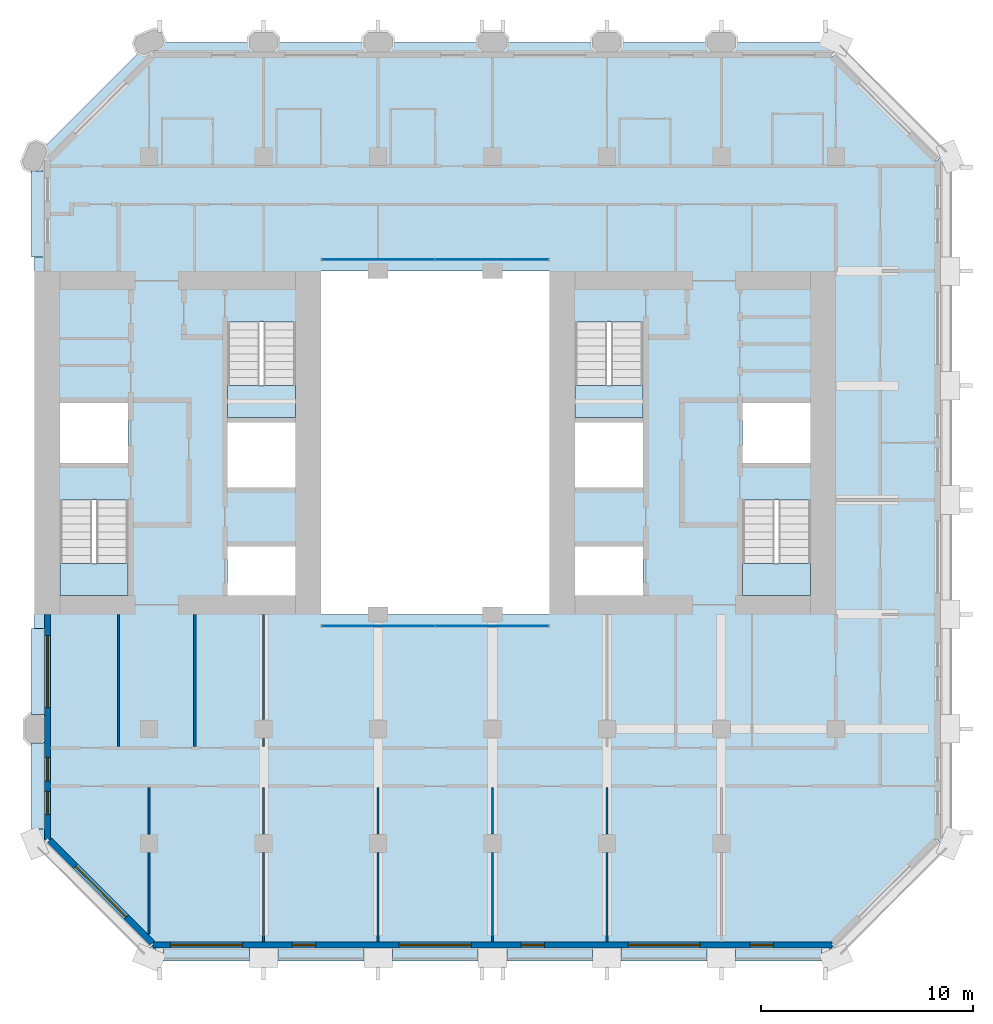
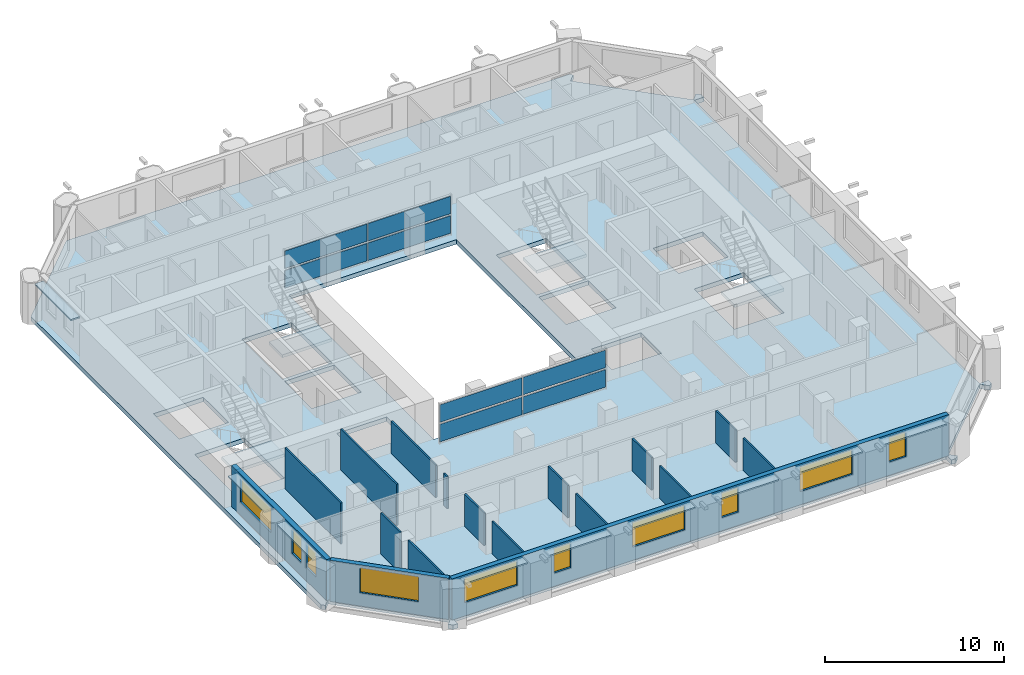
# One storey, part 5 of 12: 17 plates, 17 walls, 10 windows, 5 slabs, 10 openings, 6 elements without a shape of their own.
"""IFC4 building model written with IfcOpenShell, lengths in metres."""

from ifc_helpers import new_model, si_unit, direction, frame, frame_2d, origin, origin_2d, place, context, subcontext, project, spatial, polyline, rectangle, outline, extrude, material, layer, layer_set, type_object, element, fill, aggregate, save


model = new_model("IFC4")

# Units and contexts
model_context = context("Model", 3, precision=1e-05, world=origin(), true_north=direction((0.0, 1.0)))
body_context = subcontext(model_context, "Body", "Model", "MODEL_VIEW")
ifc_project = project(units=[si_unit("LENGTHUNIT", "METRE"), si_unit("AREAUNIT", "SQUARE_METRE"), si_unit("VOLUMEUNIT", "CUBIC_METRE"), si_unit("PLANEANGLEUNIT", "RADIAN"), si_unit("MASSUNIT", "GRAM", prefix="KILO")], contexts=[model_context])

# Site, building, storey
site_placement = place(None, origin())
site = spatial("IfcSite", under=ifc_project, at=site_placement, CompositionType="ELEMENT")
building_placement = place(site_placement, origin())
building = spatial("IfcBuilding", under=site, at=building_placement, Name="Tabaq Tower and Sports Hall", CompositionType="ELEMENT")
storey_placement = place(building_placement, frame((0.0, 0.0, 172.60009765625)))
storey = spatial("IfcBuildingStorey", under=building, at=storey_placement, Name="L41", CompositionType="ELEMENT", Elevation=172.60009765625)

# Curtain wall, plates
ifc_material_1 = material(Name="Aluminium alloy 6063-T6 framed glazing", Category="aluminium")
curtain_wall_type = type_object("IfcCurtainWallType", Name="CW1 curtain wall", PredefinedType="USERDEFINED", material=ifc_material_1)
curtain_wall_1_placement = place(storey_placement, origin())
curtain_wall_1 = element("IfcCurtainWall", 1, at=curtain_wall_1_placement, inside=storey, type_object=curtain_wall_type, Name="Atrium glazing L41 S", ObjectType="ATRIUM ENCLOSURE", PredefinedType="USERDEFINED")
ifc_material_2 = material(Name="Clear low-emissivity glass 28 mm", Category="glass")
ifc_layer_1 = layer(ifc_material_2, 0.028076171875)
ifc_layer_set_1 = layer_set([ifc_layer_1], Name="CW1 glass panel 28")
plate_type_1 = type_object("IfcPlateType", Name="CW1 glass panel 28", PredefinedType="CURTAIN_PANEL", material=ifc_layer_set_1)
plate_1_placement = place(storey_placement, frame((21.614990234375, 15.64990234375, 0.139892578125), z_axis=(0.0, 0.0, 1.0), x_axis=(1.0, 0.0, 0.0)))
plate_1 = element("IfcPlate", 2, at=plate_1_placement, type_object=plate_type_1, Name="CW1 panel 1.1", PredefinedType="CURTAIN_PANEL", context=body_context, shape_type="SweptSolid", body=[
    extrude(rectangle(XDim=5.31005859375, YDim=0.028076171875, at=origin_2d()), origin(), (0.0, 0.0, 1.0), 1.18994140625),
])
plate_2_placement = place(storey_placement, frame((21.614990234375, 15.64990234375, 1.469970703125), z_axis=(0.0, 0.0, 1.0), x_axis=(1.0, 0.0, 0.0)))
plate_2 = element("IfcPlate", 3, at=plate_2_placement, type_object=plate_type_1, Name="CW1 panel 1.2", PredefinedType="CURTAIN_PANEL", context=body_context, shape_type="SweptSolid", body=[
    extrude(rectangle(XDim=5.31005859375, YDim=0.028076171875, at=origin_2d()), origin(), (0.0, 0.0, 1.0), 1.18994140625),
])
plate_3_placement = place(storey_placement, frame((26.985107421875, 15.64990234375, 0.139892578125), z_axis=(0.0, 0.0, 1.0), x_axis=(1.0, 0.0, 0.0)))
plate_3 = element("IfcPlate", 4, at=plate_3_placement, type_object=plate_type_1, Name="CW1 panel 2.1", PredefinedType="CURTAIN_PANEL", context=body_context, shape_type="SweptSolid", body=[
    extrude(rectangle(XDim=5.31005859375, YDim=0.028076171875, at=origin_2d()), origin(), (0.0, 0.0, 1.0), 1.18994140625),
])
plate_4_placement = place(storey_placement, frame((26.985107421875, 15.64990234375, 1.469970703125), z_axis=(0.0, 0.0, 1.0), x_axis=(1.0, 0.0, 0.0)))
plate_4 = element("IfcPlate", 5, at=plate_4_placement, type_object=plate_type_1, Name="CW1 panel 2.2", PredefinedType="CURTAIN_PANEL", context=body_context, shape_type="SweptSolid", body=[
    extrude(rectangle(XDim=5.31005859375, YDim=0.028076171875, at=origin_2d()), origin(), (0.0, 0.0, 1.0), 1.18994140625),
])
aggregate(curtain_wall_1, [plate_1, plate_2, plate_3, plate_4])

curtain_wall_2_placement = place(storey_placement, origin())
curtain_wall_2 = element("IfcCurtainWall", 6, at=curtain_wall_2_placement, inside=storey, type_object=curtain_wall_type, Name="Atrium glazing L41 N", ObjectType="ATRIUM ENCLOSURE", PredefinedType="USERDEFINED")
plate_5_placement = place(storey_placement, frame((21.614990234375, 32.949951171875, 0.139892578125), z_axis=(0.0, 0.0, 1.0), x_axis=(1.0, 0.0, 0.0)))
plate_5 = element("IfcPlate", 7, at=plate_5_placement, type_object=plate_type_1, Name="CW1 panel 1.1", PredefinedType="CURTAIN_PANEL", context=body_context, shape_type="SweptSolid", body=[
    extrude(rectangle(XDim=5.31005859375, YDim=0.028076171875, at=origin_2d()), origin(), (0.0, 0.0, 1.0), 1.18994140625),
])
plate_6_placement = place(storey_placement, frame((21.614990234375, 32.949951171875, 1.469970703125), z_axis=(0.0, 0.0, 1.0), x_axis=(1.0, 0.0, 0.0)))
plate_6 = element("IfcPlate", 8, at=plate_6_placement, type_object=plate_type_1, Name="CW1 panel 1.2", PredefinedType="CURTAIN_PANEL", context=body_context, shape_type="SweptSolid", body=[
    extrude(rectangle(XDim=5.31005859375, YDim=0.028076171875, at=origin_2d()), origin(), (0.0, 0.0, 1.0), 1.18994140625),
])
plate_7_placement = place(storey_placement, frame((26.985107421875, 32.949951171875, 0.139892578125), z_axis=(0.0, 0.0, 1.0), x_axis=(1.0, 0.0, 0.0)))
plate_7 = element("IfcPlate", 9, at=plate_7_placement, type_object=plate_type_1, Name="CW1 panel 2.1", PredefinedType="CURTAIN_PANEL", context=body_context, shape_type="SweptSolid", body=[
    extrude(rectangle(XDim=5.31005859375, YDim=0.028076171875, at=origin_2d()), origin(), (0.0, 0.0, 1.0), 1.18994140625),
])
plate_8_placement = place(storey_placement, frame((26.985107421875, 32.949951171875, 1.469970703125), z_axis=(0.0, 0.0, 1.0), x_axis=(1.0, 0.0, 0.0)))
plate_8 = element("IfcPlate", 10, at=plate_8_placement, type_object=plate_type_1, Name="CW1 panel 2.2", PredefinedType="CURTAIN_PANEL", context=body_context, shape_type="SweptSolid", body=[
    extrude(rectangle(XDim=5.31005859375, YDim=0.028076171875, at=origin_2d()), origin(), (0.0, 0.0, 1.0), 1.18994140625),
])
aggregate(curtain_wall_2, [plate_5, plate_6, plate_7, plate_8])

# Stair, slab
ifc_material_3 = material(Name="Concrete C40/50", Category="concrete")
stair_type = type_object("IfcStairType", Name="Exit stair", PredefinedType="HALF_TURN_STAIR", material=ifc_material_3)
stair_1_placement = place(storey_placement, origin())
stair_1 = element("IfcStair", 11, at=stair_1_placement, inside=storey, type_object=stair_type, Name="L41 Exit stair ST1", PredefinedType="HALF_TURN_STAIR")
ifc_material_4 = material(Name="Concrete C40/50", Category="concrete")
ifc_layer_2 = layer(ifc_material_4, 0.199951171875)
ifc_layer_set_2 = layer_set([ifc_layer_2], Name="Exit stair landing")
slab_type_1 = type_object("IfcSlabType", Name="Exit stair landing", PredefinedType="LANDING", material=ifc_layer_set_2)
slab_1_placement = place(storey_placement, frame((0.0, 0.0, 1.449951171875)))
slab_1 = element("IfcSlab", 12, at=slab_1_placement, type_object=slab_type_1, Name="ST1 landing 1", PredefinedType="LANDING", context=body_context, shape_type="SweptSolid", body=[
    extrude(outline(polyline([(6.60009765625, 18.60009765625), (6.60009765625, 17.10009765625), (9.800048828125, 17.10009765625), (9.800048828125, 18.60009765625), (6.60009765625, 18.60009765625)])), origin(), (0.0, 0.0, 1.0), 0.199951171875),
])
aggregate(stair_1, [slab_1])

stair_2_placement = place(storey_placement, origin())
stair_2 = element("IfcStair", 13, at=stair_2_placement, inside=storey, type_object=stair_type, Name="L41 Exit stair ST2", PredefinedType="HALF_TURN_STAIR")
slab_2_placement = place(storey_placement, frame((0.0, 0.0, 1.449951171875)))
slab_2 = element("IfcSlab", 14, at=slab_2_placement, type_object=slab_type_1, Name="ST2 landing 1", PredefinedType="LANDING", context=body_context, shape_type="SweptSolid", body=[
    extrude(outline(polyline([(14.5, 27.0), (14.5, 25.5), (17.699951171875, 25.5), (17.699951171875, 27.0), (14.5, 27.0)])), origin(), (0.0, 0.0, 1.0), 0.199951171875),
])
aggregate(stair_2, [slab_2])

stair_3_placement = place(storey_placement, origin())
stair_3 = element("IfcStair", 15, at=stair_3_placement, inside=storey, type_object=stair_type, Name="L41 Exit stair ST3", PredefinedType="HALF_TURN_STAIR")
slab_3_placement = place(storey_placement, frame((0.0, 0.0, 1.449951171875)))
slab_3 = element("IfcSlab", 16, at=slab_3_placement, type_object=slab_type_1, Name="ST3 landing 1", PredefinedType="LANDING", context=body_context, shape_type="SweptSolid", body=[
    extrude(outline(polyline([(38.800048828125, 18.60009765625), (38.800048828125, 17.10009765625), (42.0, 17.10009765625), (42.0, 18.60009765625), (38.800048828125, 18.60009765625)])), origin(), (0.0, 0.0, 1.0), 0.199951171875),
])
aggregate(stair_3, [slab_3])

stair_4_placement = place(storey_placement, origin())
stair_4 = element("IfcStair", 17, at=stair_4_placement, inside=storey, type_object=stair_type, Name="L41 Exit stair ST4", PredefinedType="HALF_TURN_STAIR")
slab_4_placement = place(storey_placement, frame((0.0, 0.0, 1.449951171875)))
slab_4 = element("IfcSlab", 18, at=slab_4_placement, type_object=slab_type_1, Name="ST4 landing 1", PredefinedType="LANDING", context=body_context, shape_type="SweptSolid", body=[
    extrude(outline(polyline([(30.89990234375, 27.0), (30.89990234375, 25.5), (34.10009765625, 25.5), (34.10009765625, 27.0), (30.89990234375, 27.0)])), origin(), (0.0, 0.0, 1.0), 0.199951171875),
])
aggregate(stair_4, [slab_4])

# Slab
ifc_material_5 = material(Name="Concrete C40/50", Category="concrete")
ifc_layer_3 = layer(ifc_material_5, 0.300048828125)
ifc_layer_set_3 = layer_set([ifc_layer_3], Name="PT FLOOR SLAB 300 C40/50")
slab_type_2 = type_object("IfcSlabType", Name="PT FLOOR SLAB 300 C40/50", PredefinedType="FLOOR", material=ifc_layer_set_3)
slab_5_placement = place(storey_placement, frame((0.0, 0.0, -0.300048828125)))
element("IfcSlab", 19, at=slab_5_placement, inside=storey, type_object=slab_type_2, Name="Floor Slab L41", PredefinedType="FLOOR", context=body_context, shape_type="SweptSolid", body=[
    extrude(outline(polyline([(5.39990234375, 37.800048828125), (5.39990234375, 5.39990234375), (5.57666015625, 5.22314453125), (5.930419921875, 5.57666015625), (6.0009765625, 5.6474609375), (11.01318359375, 0.63525390625), (10.5888671875, 0.211181640625), (10.800048828125, 0.0), (11.0986328125, 0.0), (11.0986328125, 0.5), (11.0986328125, 0.60009765625), (42.9013671875, 0.60009765625), (42.9013671875, 0.5), (42.9013671875, 0.0), (43.199951171875, 0.0), (43.4111328125, 0.211181640625), (42.98681640625, 0.63525390625), (47.964599609375, 5.61328125), (48.035400390625, 5.54248046875), (48.388916015625, 5.18896484375), (48.60009765625, 5.39990234375), (48.60009765625, 5.698486328125), (48.10009765625, 5.698486328125), (48.0, 5.698486328125), (48.0, 37.50146484375), (48.10009765625, 37.50146484375), (48.60009765625, 37.50146484375), (48.60009765625, 37.800048828125), (48.388916015625, 38.010986328125), (48.035400390625, 37.657470703125), (47.964599609375, 37.5869140625), (42.952392578125, 42.598876953125), (43.023193359375, 42.669677734375), (43.376708984375, 43.023193359375), (43.199951171875, 43.199951171875), (10.800048828125, 43.199951171875), (5.39990234375, 37.800048828125)]), holes=[polyline([(14.5, 19.39990234375), (17.699951171875, 19.39990234375), (17.699951171875, 17.10009765625), (14.5, 17.10009765625), (14.5, 19.39990234375)]), polyline([(6.60009765625, 21.599365234375), (9.800048828125, 21.599365234375), (9.800048828125, 17.10009765625), (6.60009765625, 17.10009765625), (6.60009765625, 21.599365234375)]), polyline([(14.5, 25.25), (17.699951171875, 25.25), (17.699951171875, 22.199951171875), (14.5, 22.199951171875), (14.5, 25.25)]), polyline([(18.89990234375, 32.39990234375), (29.699951171875, 32.39990234375), (29.699951171875, 16.199951171875), (18.89990234375, 16.199951171875), (18.89990234375, 32.39990234375)]), polyline([(9.800048828125, 26.175048828125), (9.800048828125, 23.35009765625), (6.60009765625, 23.35009765625), (6.60009765625, 26.175048828125), (9.800048828125, 26.175048828125)]), polyline([(14.5, 29.99951171875), (17.699951171875, 29.99951171875), (17.699951171875, 25.5), (14.5, 25.5), (14.5, 29.99951171875)]), polyline([(34.10009765625, 19.39990234375), (34.10009765625, 17.10009765625), (30.89990234375, 17.10009765625), (30.89990234375, 19.39990234375), (34.10009765625, 19.39990234375)]), polyline([(42.0, 21.599365234375), (42.0, 17.10009765625), (38.800048828125, 17.10009765625), (38.800048828125, 21.599365234375), (42.0, 21.599365234375)]), polyline([(30.89990234375, 25.25), (34.10009765625, 25.25), (34.10009765625, 22.199951171875), (30.89990234375, 22.199951171875), (30.89990234375, 25.25)]), polyline([(42.0, 26.175048828125), (42.0, 23.35009765625), (38.800048828125, 23.35009765625), (38.800048828125, 26.175048828125), (42.0, 26.175048828125)]), polyline([(34.10009765625, 29.99951171875), (34.10009765625, 25.5), (30.89990234375, 25.5), (30.89990234375, 29.99951171875), (34.10009765625, 29.99951171875)])]), origin(), (0.0, 0.0, 1.0), 0.300048828125),
])

# Plates
ifc_material_6 = material(Name="White precast concrete C60/75 blade", Category="concrete")
ifc_layer_4 = layer(ifc_material_6, 0.10009765625)
ifc_layer_set_4 = layer_set([ifc_layer_4], Name="White precast concrete C60/75 sunshade 100")
plate_type_2 = type_object("IfcPlateType", Name="White precast concrete C60/75 sunshade 100", PredefinedType="USERDEFINED", material=ifc_layer_set_4)
for number, where, z_axis, x_axis, name in (
    (20, (13.5, 0.14990234375, 2.599853515625), (0.0, 0.0, 1.0), (1.0, 0.0, 0.0), "Sunshade L41 S"),
    (21, (18.89990234375, 0.14990234375, 2.599853515625), (0.0, 0.0, 1.0), (1.0, 0.0, 0.0), "Sunshade L41 S"),
    (22, (24.300048828125, 0.14990234375, 2.599853515625), (0.0, 0.0, 1.0), (1.0, 0.0, 0.0), "Sunshade L41 S"),
    (23, (29.699951171875, 0.14990234375, 2.599853515625), (0.0, 0.0, 1.0), (1.0, 0.0, 0.0), "Sunshade L41 S"),
    (24, (35.10009765625, 0.14990234375, 2.599853515625), (0.0, 0.0, 1.0), (1.0, 0.0, 0.0), "Sunshade L41 S"),
    (25, (40.5, 0.14990234375, 2.599853515625), (0.0, 0.0, 1.0), (1.0, 0.0, 0.0), "Sunshade L41 S"),
    (26, (5.550048828125, 35.10009765625, 2.599853515625), (0.0, 0.0, 1.0), (0.0, -1.0, 0.0), "Sunshade L41 W"),
    (27, (5.550048828125, 13.5, 2.599853515625), (0.0, 0.0, 1.0), (0.0, -1.0, 0.0), "Sunshade L41 W"),
    (28, (5.550048828125, 8.10009765625, 2.599853515625), (0.0, 0.0, 1.0), (0.0, -1.0, 0.0), "Sunshade L41 W"),
):
    element("IfcPlate", number, at=place(storey_placement, frame(where, z_axis=z_axis, x_axis=x_axis)), inside=storey, type_object=plate_type_2, Name=name, ObjectType="SUNSHADE", PredefinedType="USERDEFINED", context=body_context, shape_type="SweptSolid", body=[
        extrude(rectangle(XDim=4.050048828125, YDim=0.60009765625, at=origin_2d()), origin(), (0.0, 0.0, 1.0), 0.10009765625),
    ])

# Walls
ifc_material_7 = material(Name="Gypsum board on steel studs", Category="steel")
ifc_layer_5 = layer(ifc_material_7, 0.10009765625)
ifc_layer_set_5 = layer_set([ifc_layer_5], Name="Partition 100 Gypsum board")
wall_type_1 = type_object("IfcWallType", Name="Partition 100 Gypsum board", PredefinedType="PARTITIONING", material=ifc_layer_set_5)
wall_1_placement = place(storey_placement, frame((10.800048828125, 1.112060546875, 0.0), z_axis=(0.0, 0.0, 1.0), x_axis=(0.0, 1.0, 0.0)))
element("IfcWall", 29, at=wall_1_placement, inside=storey, type_object=wall_type_1, Name="Partition wall L41", PredefinedType="PARTITIONING", context=body_context, shape_type="SweptSolid", body=[
    extrude(rectangle(XDim=3.843017578125, YDim=0.10009765625, at=frame_2d((1.92138671875, 0.0))), origin(), (0.0, 0.0, 1.0), 2.7998046875),
])
wall_2_placement = place(storey_placement, frame((10.800048828125, 5.844970703125, 0.0), z_axis=(0.0, 0.0, 1.0), x_axis=(0.0, 1.0, 0.0)))
element("IfcWall", 30, at=wall_2_placement, inside=storey, type_object=wall_type_1, Name="Partition wall L41", PredefinedType="PARTITIONING", context=body_context, shape_type="SweptSolid", body=[
    extrude(rectangle(XDim=2.179931640625, YDim=0.10009765625, at=frame_2d((1.08984375, 0.0))), origin(), (0.0, 0.0, 1.0), 2.7998046875),
])
wall_3_placement = place(storey_placement, frame((16.199951171875, 0.7509765625, 0.0), z_axis=(0.0, 0.0, 1.0), x_axis=(0.0, 1.0, 0.0)))
element("IfcWall", 31, at=wall_3_placement, inside=storey, type_object=wall_type_1, Name="Partition wall L41", PredefinedType="PARTITIONING", context=body_context, shape_type="SweptSolid", body=[
    extrude(rectangle(XDim=4.2041015625, YDim=0.10009765625, at=frame_2d((2.10205078125, 0.0))), origin(), (0.0, 0.0, 1.0), 2.199951171875),
])
wall_4_placement = place(storey_placement, frame((16.199951171875, 5.844970703125, 0.0), z_axis=(0.0, 0.0, 1.0), x_axis=(0.0, 1.0, 0.0)))
element("IfcWall", 32, at=wall_4_placement, inside=storey, type_object=wall_type_1, Name="Partition wall L41", PredefinedType="PARTITIONING", context=body_context, shape_type="SweptSolid", body=[
    extrude(rectangle(XDim=2.179931640625, YDim=0.10009765625, at=frame_2d((1.08984375, 0.0))), origin(), (0.0, 0.0, 1.0), 2.199951171875),
])
wall_5_placement = place(storey_placement, frame((21.60009765625, 0.7509765625, 0.0), z_axis=(0.0, 0.0, 1.0), x_axis=(0.0, 1.0, 0.0)))
element("IfcWall", 33, at=wall_5_placement, inside=storey, type_object=wall_type_1, Name="Partition wall L41", PredefinedType="PARTITIONING", context=body_context, shape_type="SweptSolid", body=[
    extrude(rectangle(XDim=4.2041015625, YDim=0.10009765625, at=frame_2d((2.10205078125, 0.0))), origin(), (0.0, 0.0, 1.0), 2.199951171875),
])
wall_6_placement = place(storey_placement, frame((21.60009765625, 5.844970703125, 0.0), z_axis=(0.0, 0.0, 1.0), x_axis=(0.0, 1.0, 0.0)))
element("IfcWall", 34, at=wall_6_placement, inside=storey, type_object=wall_type_1, Name="Partition wall L41", PredefinedType="PARTITIONING", context=body_context, shape_type="SweptSolid", body=[
    extrude(rectangle(XDim=2.179931640625, YDim=0.10009765625, at=frame_2d((1.08984375, 0.0))), origin(), (0.0, 0.0, 1.0), 2.199951171875),
])
wall_7_placement = place(storey_placement, frame((27.0, 0.7509765625, 0.0), z_axis=(0.0, 0.0, 1.0), x_axis=(0.0, 1.0, 0.0)))
element("IfcWall", 35, at=wall_7_placement, inside=storey, type_object=wall_type_1, Name="Partition wall L41", PredefinedType="PARTITIONING", context=body_context, shape_type="SweptSolid", body=[
    extrude(rectangle(XDim=4.2041015625, YDim=0.10009765625, at=frame_2d((2.10205078125, 0.0))), origin(), (0.0, 0.0, 1.0), 2.199951171875),
])
wall_8_placement = place(storey_placement, frame((27.0, 5.844970703125, 0.0), z_axis=(0.0, 0.0, 1.0), x_axis=(0.0, 1.0, 0.0)))
element("IfcWall", 36, at=wall_8_placement, inside=storey, type_object=wall_type_1, Name="Partition wall L41", PredefinedType="PARTITIONING", context=body_context, shape_type="SweptSolid", body=[
    extrude(rectangle(XDim=2.179931640625, YDim=0.10009765625, at=frame_2d((1.08984375, 0.0))), origin(), (0.0, 0.0, 1.0), 2.199951171875),
])
wall_9_placement = place(storey_placement, frame((32.39990234375, 0.7509765625, 0.0), z_axis=(0.0, 0.0, 1.0), x_axis=(0.0, 1.0, 0.0)))
element("IfcWall", 37, at=wall_9_placement, inside=storey, type_object=wall_type_1, Name="Partition wall L41", PredefinedType="PARTITIONING", context=body_context, shape_type="SweptSolid", body=[
    extrude(rectangle(XDim=4.2041015625, YDim=0.10009765625, at=frame_2d((2.10205078125, 0.0))), origin(), (0.0, 0.0, 1.0), 2.199951171875),
])
wall_10_placement = place(storey_placement, frame((32.39990234375, 5.844970703125, 0.0), z_axis=(0.0, 0.0, 1.0), x_axis=(0.0, 1.0, 0.0)))
element("IfcWall", 38, at=wall_10_placement, inside=storey, type_object=wall_type_1, Name="Partition wall L41", PredefinedType="PARTITIONING", context=body_context, shape_type="SweptSolid", body=[
    extrude(rectangle(XDim=2.179931640625, YDim=0.10009765625, at=frame_2d((1.08984375, 0.0))), origin(), (0.0, 0.0, 1.0), 2.199951171875),
])
wall_11_placement = place(storey_placement, frame((16.199951171875, 16.199951171875, 0.0), z_axis=(0.0, 0.0, 1.0), x_axis=(0.0, -1.0, 0.0)))
element("IfcWall", 39, at=wall_11_placement, inside=storey, type_object=wall_type_1, Name="Partition wall L41", PredefinedType="PARTITIONING", context=body_context, shape_type="SweptSolid", body=[
    extrude(rectangle(XDim=4.954833984375, YDim=0.10009765625, at=frame_2d((2.4775390625, 0.0))), origin(), (0.0, 0.0, 1.0), 2.199951171875),
])
wall_12_placement = place(storey_placement, frame((16.199951171875, 10.35498046875, 0.0), z_axis=(0.0, 0.0, 1.0), x_axis=(0.0, -1.0, 0.0)))
element("IfcWall", 40, at=wall_12_placement, inside=storey, type_object=wall_type_1, Name="Partition wall L41", PredefinedType="PARTITIONING", context=body_context, shape_type="SweptSolid", body=[
    extrude(rectangle(XDim=0.3798828125, YDim=0.10009765625, at=frame_2d((0.18994140625, 0.0))), origin(), (0.0, 0.0, 1.0), 2.199951171875),
])
for number, where, z_axis, x_axis, name in (
    (41, (9.35009765625, 16.199951171875, 0.0), (0.0, 0.0, 1.0), (0.0, -1.0, 0.0), "Partition wall L41"),
    (42, (12.949951171875, 9.97509765625, 0.0), (0.0, 0.0, 1.0), (0.0, 1.0, 0.0), "Partition wall L41"),
):
    element("IfcWall", number, at=place(storey_placement, frame(where, z_axis=z_axis, x_axis=x_axis)), inside=storey, type_object=wall_type_1, Name=name, PredefinedType="PARTITIONING", context=body_context, shape_type="SweptSolid", body=[
        extrude(rectangle(XDim=6.224853515625, YDim=0.10009765625, at=frame_2d((3.1123046875, 0.0))), origin(), (0.0, 0.0, 1.0), 2.7998046875),
    ])

# Wall, openings, windows
ifc_material_8 = material(Name="White precast concrete C60/75", Category="concrete")
ifc_layer_6 = layer(ifc_material_8, 0.300048828125)
ifc_layer_set_6 = layer_set([ifc_layer_6], Name="White precast concrete C60/75 external wall 300")
wall_type_2 = type_object("IfcWallType", Name="White precast concrete C60/75 external wall 300", PredefinedType="SOLIDWALL", material=ifc_layer_set_6)
wall_13_placement = place(storey_placement, frame((10.986328125, 0.60009765625, 0.0), z_axis=(0.0, 0.0, 1.0), x_axis=(1.0, 0.0, 0.0)))
wall_13 = element("IfcWall", 43, at=wall_13_placement, inside=storey, type_object=wall_type_2, Name="External Wall L41 S", PredefinedType="SOLIDWALL", context=body_context, shape_type="SweptSolid", body=[
    extrude(rectangle(XDim=32.02734375, YDim=0.300048828125, at=frame_2d((16.013671875, 0.0))), origin(), (0.0, 0.0, 1.0), 2.7998046875),
])
opening_1_placement = place(wall_13_placement, frame((0.813720703125, 0.0, 0.89990234375)))
opening_1 = element("IfcOpeningElement", 44, at=opening_1_placement, cuts=wall_13, Name="Opening W1A", PredefinedType="OPENING", context=body_context, shape_type="SweptSolid", body=[
    extrude(rectangle(XDim=3.39990234375, YDim=1.699951171875, at=frame_2d((1.699951171875, 0.85009765625))), frame((0.0, 0.16015625, 0.0), z_axis=(0.0, -1.0, 0.0), x_axis=(1.0, 0.0, 0.0)), (0.0, 0.0, 1.0), 0.320068359375),
])
opening_2_placement = place(wall_13_placement, frame((6.563720703125, 0.0, 0.89990234375)))
opening_2 = element("IfcOpeningElement", 45, at=opening_2_placement, cuts=wall_13, Name="Opening W1B", PredefinedType="OPENING", context=body_context, shape_type="SweptSolid", body=[
    extrude(rectangle(XDim=1.10009765625, YDim=1.699951171875, at=frame_2d((0.550048828125, 0.85009765625))), frame((0.0, 0.16015625, 0.0), z_axis=(0.0, -1.0, 0.0), x_axis=(1.0, 0.0, 0.0)), (0.0, 0.0, 1.0), 0.320068359375),
])
opening_3_placement = place(wall_13_placement, frame((11.613525390625, 0.0, 0.89990234375)))
opening_3 = element("IfcOpeningElement", 46, at=opening_3_placement, cuts=wall_13, Name="Opening W1A", PredefinedType="OPENING", context=body_context, shape_type="SweptSolid", body=[
    extrude(rectangle(XDim=3.39990234375, YDim=1.699951171875, at=frame_2d((1.699951171875, 0.85009765625))), frame((0.0, 0.16015625, 0.0), z_axis=(0.0, -1.0, 0.0), x_axis=(1.0, 0.0, 0.0)), (0.0, 0.0, 1.0), 0.320068359375),
])
opening_4_placement = place(wall_13_placement, frame((17.363525390625, 0.0, 0.89990234375)))
opening_4 = element("IfcOpeningElement", 47, at=opening_4_placement, cuts=wall_13, Name="Opening W1B", PredefinedType="OPENING", context=body_context, shape_type="SweptSolid", body=[
    extrude(rectangle(XDim=1.10009765625, YDim=1.699951171875, at=frame_2d((0.550048828125, 0.85009765625))), frame((0.0, 0.16015625, 0.0), z_axis=(0.0, -1.0, 0.0), x_axis=(1.0, 0.0, 0.0)), (0.0, 0.0, 1.0), 0.320068359375),
])
opening_5_placement = place(wall_13_placement, frame((22.41357421875, 0.0, 0.89990234375)))
opening_5 = element("IfcOpeningElement", 48, at=opening_5_placement, cuts=wall_13, Name="Opening W1A", PredefinedType="OPENING", context=body_context, shape_type="SweptSolid", body=[
    extrude(rectangle(XDim=3.39990234375, YDim=1.699951171875, at=frame_2d((1.699951171875, 0.85009765625))), frame((0.0, 0.16015625, 0.0), z_axis=(0.0, -1.0, 0.0), x_axis=(1.0, 0.0, 0.0)), (0.0, 0.0, 1.0), 0.320068359375),
])
opening_6_placement = place(wall_13_placement, frame((28.16357421875, 0.0, 0.89990234375)))
opening_6 = element("IfcOpeningElement", 49, at=opening_6_placement, cuts=wall_13, Name="Opening W1B", PredefinedType="OPENING", context=body_context, shape_type="SweptSolid", body=[
    extrude(rectangle(XDim=1.10009765625, YDim=1.699951171875, at=frame_2d((0.550048828125, 0.85009765625))), frame((0.0, 0.16015625, 0.0), z_axis=(0.0, -1.0, 0.0), x_axis=(1.0, 0.0, 0.0)), (0.0, 0.0, 1.0), 0.320068359375),
])
ifc_material_9 = material(Name="Aluminium framed clear glazing", Category="aluminium")
window_type_1 = type_object("IfcWindowType", Name="Window W1A", PartitioningType="SINGLE_PANEL", PredefinedType="WINDOW", material=ifc_material_9)
window_1_placement = place(opening_1_placement, origin())
window_1 = element("IfcWindow", 50, at=window_1_placement, inside=storey, type_object=window_type_1, Name="Window W1A L41", OverallHeight=1.699951171875, OverallWidth=3.39990234375, PartitioningType="SINGLE_PANEL", PredefinedType="WINDOW", context=body_context, shape_type="SweptSolid", body=[
    extrude(rectangle(XDim=3.39990234375, YDim=1.699951171875, at=frame_2d((1.699951171875, 0.85009765625))), frame((0.0, 0.030029296875, 0.0), z_axis=(0.0, -1.0, 0.0), x_axis=(1.0, 0.0, 0.0)), (0.0, 0.0, 1.0), 0.06005859375),
])
fill(opening_1, window_1)
window_2_placement = place(opening_3_placement, origin())
window_2 = element("IfcWindow", 51, at=window_2_placement, inside=storey, type_object=window_type_1, Name="Window W1A L41", OverallHeight=1.699951171875, OverallWidth=3.39990234375, PartitioningType="SINGLE_PANEL", PredefinedType="WINDOW", context=body_context, shape_type="SweptSolid", body=[
    extrude(rectangle(XDim=3.39990234375, YDim=1.699951171875, at=frame_2d((1.699951171875, 0.85009765625))), frame((0.0, 0.030029296875, 0.0), z_axis=(0.0, -1.0, 0.0), x_axis=(1.0, 0.0, 0.0)), (0.0, 0.0, 1.0), 0.06005859375),
])
fill(opening_3, window_2)
window_3_placement = place(opening_5_placement, origin())
window_3 = element("IfcWindow", 52, at=window_3_placement, inside=storey, type_object=window_type_1, Name="Window W1A L41", OverallHeight=1.699951171875, OverallWidth=3.39990234375, PartitioningType="SINGLE_PANEL", PredefinedType="WINDOW", context=body_context, shape_type="SweptSolid", body=[
    extrude(rectangle(XDim=3.39990234375, YDim=1.699951171875, at=frame_2d((1.699951171875, 0.85009765625))), frame((0.0, 0.030029296875, 0.0), z_axis=(0.0, -1.0, 0.0), x_axis=(1.0, 0.0, 0.0)), (0.0, 0.0, 1.0), 0.06005859375),
])
fill(opening_5, window_3)
ifc_material_10 = material(Name="Aluminium framed clear glazing", Category="aluminium")
window_type_2 = type_object("IfcWindowType", Name="Window W1B", PartitioningType="SINGLE_PANEL", PredefinedType="WINDOW", material=ifc_material_10)
window_4_placement = place(opening_2_placement, origin())
window_4 = element("IfcWindow", 53, at=window_4_placement, inside=storey, type_object=window_type_2, Name="Window W1B L41", OverallHeight=1.699951171875, OverallWidth=1.10009765625, PartitioningType="SINGLE_PANEL", PredefinedType="WINDOW", context=body_context, shape_type="SweptSolid", body=[
    extrude(rectangle(XDim=1.10009765625, YDim=1.699951171875, at=frame_2d((0.550048828125, 0.85009765625))), frame((0.0, 0.030029296875, 0.0), z_axis=(0.0, -1.0, 0.0), x_axis=(1.0, 0.0, 0.0)), (0.0, 0.0, 1.0), 0.06005859375),
])
fill(opening_2, window_4)
window_5_placement = place(opening_4_placement, origin())
window_5 = element("IfcWindow", 54, at=window_5_placement, inside=storey, type_object=window_type_2, Name="Window W1B L41", OverallHeight=1.699951171875, OverallWidth=1.10009765625, PartitioningType="SINGLE_PANEL", PredefinedType="WINDOW", context=body_context, shape_type="SweptSolid", body=[
    extrude(rectangle(XDim=1.10009765625, YDim=1.699951171875, at=frame_2d((0.550048828125, 0.85009765625))), frame((0.0, 0.030029296875, 0.0), z_axis=(0.0, -1.0, 0.0), x_axis=(1.0, 0.0, 0.0)), (0.0, 0.0, 1.0), 0.06005859375),
])
fill(opening_4, window_5)
window_6_placement = place(opening_6_placement, origin())
window_6 = element("IfcWindow", 55, at=window_6_placement, inside=storey, type_object=window_type_2, Name="Window W1B L41", OverallHeight=1.699951171875, OverallWidth=1.10009765625, PartitioningType="SINGLE_PANEL", PredefinedType="WINDOW", context=body_context, shape_type="SweptSolid", body=[
    extrude(rectangle(XDim=1.10009765625, YDim=1.699951171875, at=frame_2d((0.550048828125, 0.85009765625))), frame((0.0, 0.030029296875, 0.0), z_axis=(0.0, -1.0, 0.0), x_axis=(1.0, 0.0, 0.0)), (0.0, 0.0, 1.0), 0.06005859375),
])
fill(opening_6, window_6)

wall_14_placement = place(storey_placement, frame((6.0, 16.199951171875, 0.0), z_axis=(0.0, 0.0, 1.0), x_axis=(0.0, -1.0, 0.0)))
wall_14 = element("IfcWall", 56, at=wall_14_placement, inside=storey, type_object=wall_type_2, Name="External Wall L41 W", PredefinedType="SOLIDWALL", context=body_context, shape_type="SweptSolid", body=[
    extrude(rectangle(XDim=10.613525390625, YDim=0.300048828125, at=frame_2d((5.306640625, 0.0))), origin(), (0.0, 0.0, 1.0), 2.7998046875),
])
opening_7_placement = place(wall_14_placement, frame((1.0, 0.0, 0.89990234375)))
opening_7 = element("IfcOpeningElement", 57, at=opening_7_placement, cuts=wall_14, Name="Opening W1A", PredefinedType="OPENING", context=body_context, shape_type="SweptSolid", body=[
    extrude(rectangle(XDim=3.39990234375, YDim=1.699951171875, at=frame_2d((1.699951171875, 0.85009765625))), frame((0.0, 0.16015625, 0.0), z_axis=(0.0, -1.0, 0.0), x_axis=(1.0, 0.0, 0.0)), (0.0, 0.0, 1.0), 0.320068359375),
])
opening_8_placement = place(wall_14_placement, frame((6.75, 0.0, 0.89990234375)))
opening_8 = element("IfcOpeningElement", 58, at=opening_8_placement, cuts=wall_14, Name="Opening W1B", PredefinedType="OPENING", context=body_context, shape_type="SweptSolid", body=[
    extrude(rectangle(XDim=1.10009765625, YDim=1.699951171875, at=frame_2d((0.550048828125, 0.85009765625))), frame((0.0, 0.16015625, 0.0), z_axis=(0.0, -1.0, 0.0), x_axis=(1.0, 0.0, 0.0)), (0.0, 0.0, 1.0), 0.320068359375),
])
opening_9_placement = place(wall_14_placement, frame((8.35009765625, 0.0, 0.89990234375)))
opening_9 = element("IfcOpeningElement", 59, at=opening_9_placement, cuts=wall_14, Name="Opening W1B", PredefinedType="OPENING", context=body_context, shape_type="SweptSolid", body=[
    extrude(rectangle(XDim=1.10009765625, YDim=1.699951171875, at=frame_2d((0.550048828125, 0.85009765625))), frame((0.0, 0.16015625, 0.0), z_axis=(0.0, -1.0, 0.0), x_axis=(1.0, 0.0, 0.0)), (0.0, 0.0, 1.0), 0.320068359375),
])
window_7_placement = place(opening_7_placement, origin())
window_7 = element("IfcWindow", 60, at=window_7_placement, inside=storey, type_object=window_type_1, Name="Window W1A L41", OverallHeight=1.699951171875, OverallWidth=3.39990234375, PartitioningType="SINGLE_PANEL", PredefinedType="WINDOW", context=body_context, shape_type="SweptSolid", body=[
    extrude(rectangle(XDim=3.39990234375, YDim=1.699951171875, at=frame_2d((1.699951171875, 0.85009765625))), frame((0.0, 0.030029296875, 0.0), z_axis=(0.0, -1.0, 0.0), x_axis=(1.0, 0.0, 0.0)), (0.0, 0.0, 1.0), 0.06005859375),
])
fill(opening_7, window_7)
window_8_placement = place(opening_8_placement, origin())
window_8 = element("IfcWindow", 61, at=window_8_placement, inside=storey, type_object=window_type_2, Name="Window W1B L41", OverallHeight=1.699951171875, OverallWidth=1.10009765625, PartitioningType="SINGLE_PANEL", PredefinedType="WINDOW", context=body_context, shape_type="SweptSolid", body=[
    extrude(rectangle(XDim=1.10009765625, YDim=1.699951171875, at=frame_2d((0.550048828125, 0.85009765625))), frame((0.0, 0.030029296875, 0.0), z_axis=(0.0, -1.0, 0.0), x_axis=(1.0, 0.0, 0.0)), (0.0, 0.0, 1.0), 0.06005859375),
])
fill(opening_8, window_8)
window_9_placement = place(opening_9_placement, origin())
window_9 = element("IfcWindow", 62, at=window_9_placement, inside=storey, type_object=window_type_2, Name="Window W1B L41", OverallHeight=1.699951171875, OverallWidth=1.10009765625, PartitioningType="SINGLE_PANEL", PredefinedType="WINDOW", context=body_context, shape_type="SweptSolid", body=[
    extrude(rectangle(XDim=1.10009765625, YDim=1.699951171875, at=frame_2d((0.550048828125, 0.85009765625))), frame((0.0, 0.030029296875, 0.0), z_axis=(0.0, -1.0, 0.0), x_axis=(1.0, 0.0, 0.0)), (0.0, 0.0, 1.0), 0.06005859375),
])
fill(opening_9, window_9)

# Wall, opening, window
wall_15_placement = place(storey_placement, frame((6.098876953125, 5.549560546875, 0.0), z_axis=(0.0, 0.0, 1.0), x_axis=(0.707106781187, -0.707106781187, 0.0)))
wall_15 = element("IfcWall", 63, at=wall_15_placement, inside=storey, type_object=wall_type_2, Name="External Wall L41 SW", PredefinedType="SOLIDWALL", context=body_context, shape_type="SweptSolid", body=[
    extrude(rectangle(XDim=6.85986328125, YDim=0.300048828125, at=frame_2d((3.429931640625, 0.0))), origin(), (0.0, 0.0, 1.0), 2.7998046875),
])
opening_10_placement = place(wall_15_placement, frame((1.729736328125, 0.0, 0.89990234375)))
opening_10 = element("IfcOpeningElement", 64, at=opening_10_placement, cuts=wall_15, Name="Opening W1A", PredefinedType="OPENING", context=body_context, shape_type="SweptSolid", body=[
    extrude(rectangle(XDim=3.39990234375, YDim=1.699951171875, at=frame_2d((1.699951171875, 0.85009765625))), frame((0.0, 0.16015625, 0.0), z_axis=(0.0, -1.0, 0.0), x_axis=(1.0, 0.0, 0.0)), (0.0, 0.0, 1.0), 0.320068359375),
])
window_10_placement = place(opening_10_placement, origin())
window_10 = element("IfcWindow", 65, at=window_10_placement, inside=storey, type_object=window_type_1, Name="Window W1A L41", OverallHeight=1.699951171875, OverallWidth=3.39990234375, PartitioningType="SINGLE_PANEL", PredefinedType="WINDOW", context=body_context, shape_type="SweptSolid", body=[
    extrude(rectangle(XDim=3.39990234375, YDim=1.699951171875, at=frame_2d((1.699951171875, 0.85009765625))), frame((0.0, 0.030029296875, 0.0), z_axis=(0.0, -1.0, 0.0), x_axis=(1.0, 0.0, 0.0)), (0.0, 0.0, 1.0), 0.06005859375),
])
fill(opening_10, window_10)

save(model, "model.ifc")
